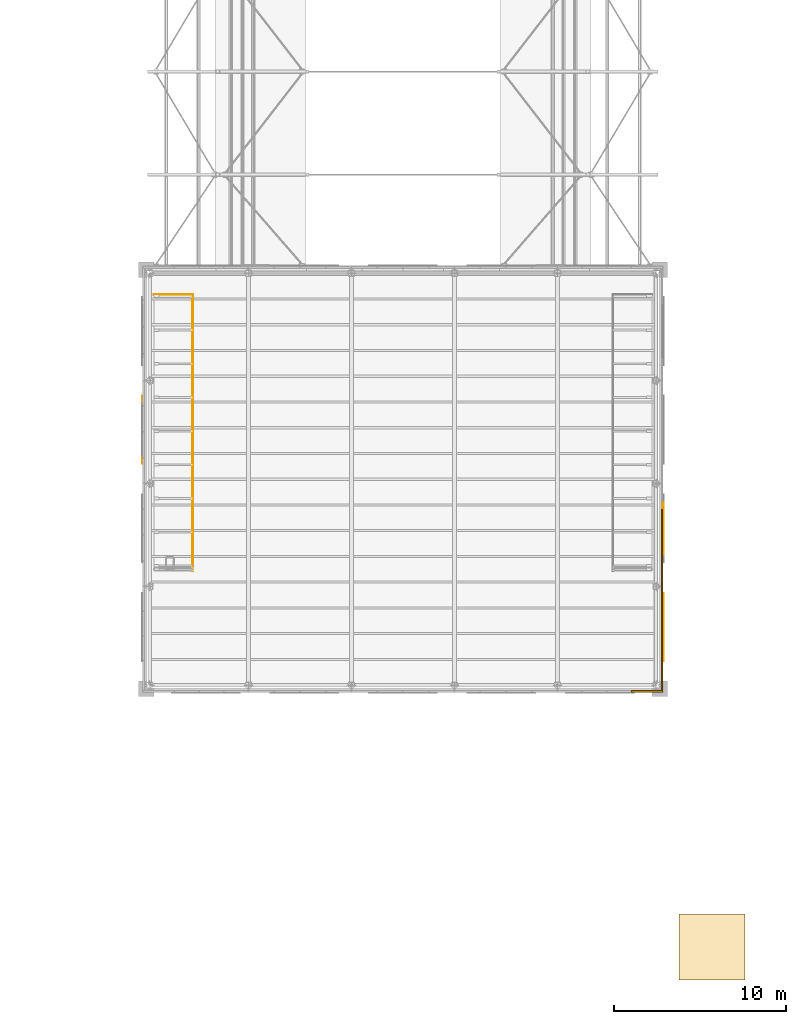
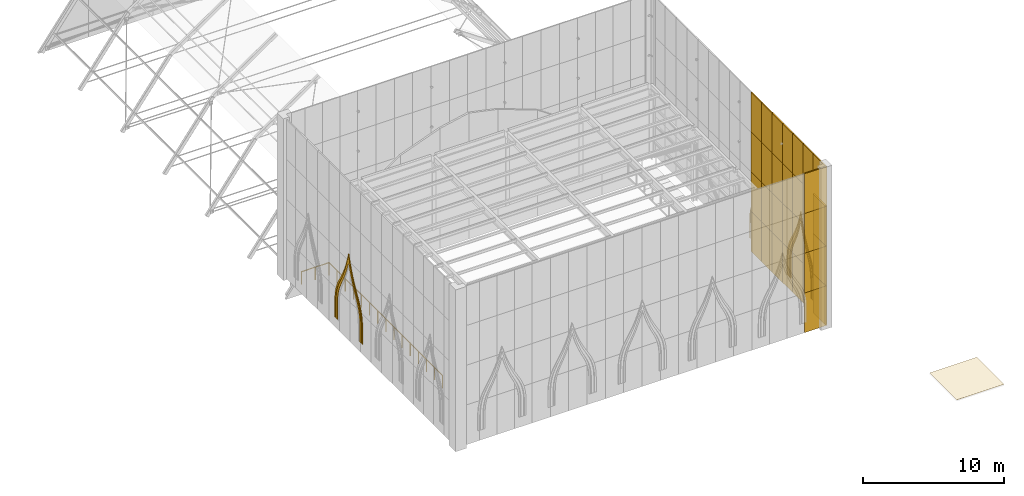
# One storey, part 39 of 43: 39 coverings, 1 railing.
"""IFC4 building model written with IfcOpenShell, lengths in metres."""

from ifc_helpers import new_model, si_unit, direction, frame, origin, origin_2d, place, context, subcontext, project, spatial, polyline, rectangle, circle, outline, extrude, material, layer, layer_set, type_object, element, save


model = new_model("IFC4")

# Units and contexts
model_context = context("Model", 3, precision=1e-05, world=origin(), true_north=direction((0.0, 1.0)))
body_context = subcontext(model_context, "Body", "Model", "MODEL_VIEW")
ifc_project = project(units=[si_unit("LENGTHUNIT", "METRE"), si_unit("AREAUNIT", "SQUARE_METRE"), si_unit("VOLUMEUNIT", "CUBIC_METRE"), si_unit("PLANEANGLEUNIT", "RADIAN"), si_unit("MASSUNIT", "GRAM", prefix="KILO")], contexts=[model_context])

# Site, building, storey
site_placement = place(None, origin())
site = spatial("IfcSite", under=ifc_project, at=site_placement, CompositionType="ELEMENT")
building_placement = place(site_placement, origin())
building = spatial("IfcBuilding", under=site, at=building_placement, Name="Saffron Lane Theatres", CompositionType="ELEMENT")
storey_placement = place(building_placement, frame((0.0, 0.0, 23.0)))
storey = spatial("IfcBuildingStorey", under=building, at=storey_placement, Name="Roof", CompositionType="ELEMENT", Elevation=23.0)

# Coverings
ifc_material_1 = material(Name="Masonry sandstone", Category="masonry")
ifc_layer_1 = layer(ifc_material_1, 0.050048828125)
ifc_layer_set_1 = layer_set([ifc_layer_1], Name="Masonry sandstone")
covering_type_1 = type_object("IfcCoveringType", Name="EX-ARCH FRAME RING SANDSTONE 50", PredefinedType="CLADDING", material=ifc_layer_set_1)
covering_1_placement = place(storey_placement, frame((48.14990234375, 32.110107421875, 2.200927734375), z_axis=(-1.0, 0.0, 0.0), x_axis=(0.0, 0.022997111267, 0.999735531465)))
element("IfcCovering", 1, at=covering_1_placement, inside=storey, type_object=covering_type_1, Name="Tower arch recess ring", PredefinedType="CLADDING", context=body_context, shape_type="SweptSolid", body=[
    extrude(outline(polyline([(0.0, 0.0), (0.38218115301468625, -1.734723475976807e-18), (0.7186530208482582, 0.019366850314774177), (1.0186343483940257, 0.05544643826297682), (1.2869898132143656, 0.1073942450897903), (1.5324780807332044, 0.17378776745953742), (1.7623540583257231, 0.2515296568088426), (1.9834518756015451, 0.3404627063224047), (2.202776749349248, 0.4372511059084794), (2.429104188580111, 0.5412045804038491), (2.6697452459604945, 0.6516665418200038), (2.931472291279726, 0.7657949467092903), (3.2242587557200446, 0.8818951430329552), (3.5539512356028933, 0.9993442299771961), (3.92979654846717, 1.1167084751480998), (4.357635676105198, 1.233120901674377), (5.015327699382706, 1.3838072212008825), (5.016068817226268, 1.4160252607891064), (4.366001324490871, 1.5967942273293279), (3.9439676199607527, 1.7327564442441374), (3.5739165011461504, 1.8672786903993477), (3.2499732990800325, 1.999763486321328), (2.9628350509323225, 2.1292038038291268), (2.7066327022651064, 2.2552462395065995), (2.4713254475467292, 2.376656532702662), (2.25001739734727, 2.490907053600263), (2.035375040883897, 2.5976780859579662), (1.8186004110288587, 2.696683600709043), (1.5925423132365129, 2.784913430450588), (1.350366617897236, 2.862524781997902), (1.084683668937017, 2.9267571785346833), (0.7866786556407508, 2.9765923628217448), (0.45145321327135296, 3.0114103972689836), (0.06967630635315561, 3.0289838734080146), (-1.1309338204231558, 3.0566017421389713), (-1.1336905542200453, 2.936760397913078), (0.0649669640963737, 2.9091874454150646), (0.44161265927823573, 2.8914877983300227), (0.771008348913546, 2.8580248928690466), (1.0600050061992816, 2.8093737503892937), (1.318654665725334, 2.7472567836568236), (1.5528207674004981, 2.671783320030293), (1.7720952663452818, 2.5859073816214284), (1.9838116733425173, 2.4899486846716656), (2.1955419607034057, 2.383977254835837), (2.4158793212020364, 2.269993268112194), (2.6521628801503603, 2.14856051679966), (2.9122479876208893, 2.0214519444263543), (3.202264617696377, 1.8897475680517621), (3.5303121965068223, 1.7552147166748848), (3.9042236160082666, 1.618650029593896), (4.332336763859077, 1.4815711452211926), (4.59173814645036, 1.4096686780727894), (4.32930491813541, 1.3497700741784586), (3.8953414309437466, 1.232521706650183), (3.515545984926742, 1.1132946854852734), (3.181659295833679, 0.9939884370761447), (2.88589338794146, 0.8757589305845156), (2.6202386675859732, 0.7607440539311694), (2.3786213059756434, 0.6503045506314862), (2.1532757855038445, 0.5465726940771315), (1.9368966680333337, 0.45044914831410154), (1.7209918223141438, 0.36432710637890214), (1.4980005050933094, 0.28862469473167457), (1.2606341218209416, 0.22497480559087527), (0.999379320784183, 0.17384048164958885), (0.7084512654818893, 0.13852946035397), (0.37786529567358396, 0.12024824162779892), (0.0008041253369972031, 0.11988626045883645), (-1.197853392979422, 0.1474592129568499), (-1.2006101267763114, 0.027617868730956684), (0.0, 0.0)])), origin(), (0.0, 0.0, -1.0), 0.050048828125),
])
covering_2_placement = place(storey_placement, frame((48.14990234375, 31.85009765625, 2.200927734375), z_axis=(-1.0, 0.0, 0.0), x_axis=(0.0, 0.027312211802, 0.999626951961)))
element("IfcCovering", 2, at=covering_2_placement, inside=storey, type_object=covering_type_1, Name="Tower arch recess ring", PredefinedType="CLADDING", context=body_context, shape_type="SweptSolid", body=[
    extrude(outline(polyline([(0.0, 0.0), (0.40224966782484456, 0.0), (0.7569683522101139, 0.021325663033647923), (1.0741287445550716, 0.06248335251801053), (1.35881587726215, 0.12186874273052645), (1.6190700494014425, 0.1987736898983943), (1.8625941582077907, 0.2890800245858124), (2.095442766258442, 0.39091269943956275), (2.326605698736925, 0.5025607004097316), (2.5641165866928755, 0.6230718341746991), (2.816654525556407, 0.7483012592168254), (3.0903407581093636, 0.8788144236710781), (3.396084165823525, 1.0116267215797745), (3.739728601829618, 1.1460900213542489), (4.131457466973427, 1.2794837706470155), (4.5793177283455035, 1.4113438752340919), (5.367965845758813, 1.6088719789106471), (5.369059401114175, 1.6488961049168909), (4.592373712405251, 1.8891928918208298), (4.152381715175411, 2.0453112548396524), (3.7685211141738404, 2.1998959731527847), (3.432731606269066, 2.352923041886572), (3.1346964302061133, 2.5022320224121297), (2.8685450607724188, 2.6474948481228484), (2.6232219200460913, 2.7863270349024023), (2.3926457733680455, 2.919627431908736), (2.1679241486534617, 3.043731295097295), (1.9409834067299485, 3.1581265204967868), (1.702753706168462, 3.2615955275713047), (1.4470871321053216, 3.352596669990605), (1.166067410650981, 3.4274385316282965), (0.851627570653509, 3.4858530580619056), (0.4986025634649585, 3.5265159804281714), (0.09695301748147107, 3.5484804398218417), (-1.1035267131570188, 3.5812804324622376), (-1.1089878219133684, 3.3814038519798384), (0.0895395123345729, 3.3486572035031186), (0.48120969889833753, 3.327942331143563), (0.8223029502766167, 3.2885823399750875), (1.1216650624110143, 3.2325336272005174), (1.3878844456533965, 3.1612711589454983), (1.6297735558430695, 3.075531084668762), (1.8552019907263628, 2.9772964736549703), (2.0742024538866755, 2.867270135260558), (2.2948285804350204, 2.745232024810359), (2.5244552009996295, 2.612934498081138), (2.770727867839393, 2.473099441024472), (3.0417068840857833, 2.3257508585140143), (3.3457366105418473, 2.172370384695872), (3.6895197413734984, 2.0169268253475527), (4.08132728915873, 1.8582172695781594), (4.529048855705248, 1.6989569353188092), (4.696888265087821, 1.6472344342183776), (4.526474999807872, 1.6047538094748455), (4.070725136628087, 1.4701784869566512), (3.670862620127752, 1.3340761877532261), (3.3190778647446724, 1.1966602885192745), (3.0071265299826946, 1.0601098983409696), (2.7285326343715286, 0.9287538961006331), (2.4749651531490464, 0.8015987467497964), (2.2384571354702087, 0.6820371390982651), (2.011523061567155, 0.573204376366107), (1.7868147728934902, 0.47432430097183365), (1.5563586505837161, 0.38854555217643194), (1.310148663136272, 0.3161415188187424), (1.0404352371730994, 0.2595220234928368), (0.7384592610185687, 0.21990331313053224), (0.3957256766072468, 0.1992271152896419), (0.0035087123658012432, 0.19992992464607567), (-1.1950186218821401, 0.23267657312279538), (-1.2004797306384898, 0.03279999264039589), (0.0, 0.0)])), origin(), (0.0, 0.0, -1.0), 0.050048828125),
])
covering_3_placement = place(storey_placement, frame((48.14990234375, 31.64990234375, 2.200927734375), z_axis=(-1.0, 0.0, 0.0), x_axis=(0.0, 0.029193159722, 0.999573788885)))
element("IfcCovering", 3, at=covering_3_placement, inside=storey, type_object=covering_type_1, Name="Tower arch recess ring", PredefinedType="CLADDING", context=body_context, shape_type="SweptSolid", body=[
    extrude(outline(polyline([(0.0, 0.0), (0.41814696888594205, 1.734723475976807e-18), (0.789125603111909, 0.02409233927534542), (1.117551215790607, 0.07140949062843514), (1.4138389798139064, 0.13896058063500577), (1.684291082572596, 0.22509608173497841), (1.9373917861109122, 0.3276142481028278), (2.179867205832405, 0.44265496857998693), (2.421715713852443, 0.5696819899102323), (2.6709334990761593, 0.7065078207405595), (2.935237077657832, 0.849731914106464), (3.2226582746838943, 0.9983869615027009), (3.5441217178941016, 1.1501999447411422), (3.9056855581096905, 1.3035284634979691), (4.3175565678342815, 1.4566089544329384), (4.787967845306298, 1.607002762387233), (5.517225804189668, 1.8057688377505887), (5.517753219672928, 1.8238275438974325), (4.8013385405305815, 2.0648153668666795), (4.340506268592379, 2.242406708390198), (3.938271282291685, 2.4192636594894568), (3.58627219313739, 2.5934322170713386), (3.274245210735792, 2.7647236519196716), (2.995961130595407, 2.9289234866890266), (2.740466816031439, 3.087328593289325), (2.499659169594852, 3.238465914530292), (2.2656363669885993, 3.379391046568081), (2.0303166924724265, 3.5093630419210733), (1.7836019926233202, 3.625501641871766), (1.518637861785045, 3.72727429932679), (1.2267974931881596, 3.8120020287206327), (0.9016931726067514, 3.878405918778749), (0.5327529279512241, 3.9241080383952593), (0.11531868269130997, 3.9485116953504535), (-1.0850972029347026, 3.9835705705147646), (-1.0891882365481025, 3.8434935795919487), (0.10927535652149442, 3.80849172231772), (0.5208598513484222, 3.7845031556023243), (0.8786029227496011, 3.7401050351319944), (1.1939956712027533, 3.6756944905111526), (1.4737268653934252, 3.5944955983344995), (1.7278305136182879, 3.4971922881935713), (1.9656013872290956, 3.3842458348191324), (2.1961258571893527, 3.2573448230259685), (2.426057056003304, 3.1184931465610197), (2.665924192342985, 2.968604517112854), (2.923363672227109, 2.8098983560529214), (3.2054668106452016, 2.6426560466687783), (3.5215853968391, 2.4692911562476056), (3.8796212551058513, 2.292748088633249), (4.28765610118571, 2.113767791307328), (4.753527614249379, 1.9330983389877205), (5.066509931399305, 1.8279693234330057), (4.7479256065488, 1.7412855953198925), (4.272332543226111, 1.5890891667706482), (3.8545191289971497, 1.4332512906713022), (3.4867902294164193, 1.277904623695015), (3.161092637688706, 1.123284364638375), (2.8697098376597303, 0.9727910604658873), (2.603446839285382, 0.8293799484205129), (2.3552408365211748, 0.6937457914929044), (2.1175979680736017, 0.5685498997026498), (1.8800602976332301, 0.4553189270567006), (1.6361029829485005, 0.356441638060052), (1.3767536888360727, 0.2741340330107499), (1.092760407361754, 0.20939905659534055), (0.774146148118956, 0.1635050717787033), (0.41442170503741954, 0.14006102591359282), (0.0021387410569844428, 0.14013400881289806), (-1.1963248520126126, 0.17513586608712695), (-1.2004158856260125, 0.03505887516431111), (0.0, 0.0)])), origin(), (0.0, 0.0, -1.0), 0.050048828125),
])
covering_4_placement = place(storey_placement, frame((48.14990234375, 37.860107421875, 2.200927734375), z_axis=(-1.0, 0.0, 0.0), x_axis=(0.0, 0.022997111267, 0.999735531465)))
element("IfcCovering", 4, at=covering_4_placement, inside=storey, type_object=covering_type_1, Name="Tower arch recess ring", PredefinedType="CLADDING", context=body_context, shape_type="SweptSolid", body=[
    extrude(outline(polyline([(0.0, 0.0), (0.38218115301468625, -1.734723475976807e-18), (0.7186530208482582, 0.019366850314774177), (1.0186343483940257, 0.05544643826297682), (1.2869898132143656, 0.1073942450897903), (1.5324780807332044, 0.17378776745953742), (1.7623540583257231, 0.2515296568088426), (1.9834518756015451, 0.3404627063224047), (2.202776749349248, 0.4372511059084794), (2.429104188580111, 0.5412045804038491), (2.6697452459604945, 0.6516665418200038), (2.931472291279726, 0.7657949467092903), (3.2242587557200446, 0.8818951430329552), (3.5539512356028933, 0.9993442299771961), (3.92979654846717, 1.1167084751480998), (4.357635676105198, 1.233120901674377), (5.015327699382706, 1.3838072212008825), (5.016068817226268, 1.4160252607891064), (4.366001324490871, 1.5967942273293279), (3.9439676199607527, 1.7327564442441374), (3.5739165011461504, 1.8672786903993477), (3.2499732990800325, 1.999763486321328), (2.9628350509323225, 2.1292038038291268), (2.7066327022651064, 2.2552462395065995), (2.4713254475467292, 2.376656532702662), (2.25001739734727, 2.490907053600263), (2.035375040883897, 2.5976780859579662), (1.8186004110288587, 2.696683600709043), (1.5925423132365129, 2.784913430450588), (1.350366617897236, 2.862524781997902), (1.084683668937017, 2.9267571785346833), (0.7866786556407508, 2.9765923628217448), (0.45145321327135296, 3.0114103972689836), (0.06967630635315561, 3.0289838734080146), (-1.1309338204231558, 3.0566017421389713), (-1.1336905542200453, 2.936760397913078), (0.0649669640963737, 2.9091874454150646), (0.44161265927823573, 2.8914877983300227), (0.771008348913546, 2.8580248928690466), (1.0600050061992816, 2.8093737503892937), (1.318654665725334, 2.7472567836568236), (1.5528207674004981, 2.671783320030293), (1.7720952663452818, 2.5859073816214284), (1.9838116733425173, 2.4899486846716656), (2.1955419607034057, 2.383977254835837), (2.4158793212020364, 2.269993268112194), (2.6521628801503603, 2.14856051679966), (2.9122479876208893, 2.0214519444263543), (3.202264617696377, 1.8897475680517621), (3.5303121965068223, 1.7552147166748848), (3.9042236160082666, 1.618650029593896), (4.332336763859077, 1.4815711452211926), (4.59173814645036, 1.4096686780727894), (4.32930491813541, 1.3497700741784586), (3.8953414309437466, 1.232521706650183), (3.515545984926742, 1.1132946854852734), (3.181659295833679, 0.9939884370761447), (2.88589338794146, 0.8757589305845156), (2.6202386675859732, 0.7607440539311694), (2.3786213059756434, 0.6503045506314862), (2.1532757855038445, 0.5465726940771315), (1.9368966680333337, 0.45044914831410154), (1.7209918223141438, 0.36432710637890214), (1.4980005050933094, 0.28862469473167457), (1.2606341218209416, 0.22497480559087527), (0.999379320784183, 0.17384048164958885), (0.7084512654818893, 0.13852946035397), (0.37786529567358396, 0.12024824162779892), (0.0008041253369972031, 0.11988626045883645), (-1.197853392979422, 0.1474592129568499), (-1.2006101267763114, 0.027617868730956684), (0.0, 0.0)])), origin(), (0.0, 0.0, -1.0), 0.050048828125),
])
covering_5_placement = place(storey_placement, frame((17.85009765625, 46.89990234375, 2.200927734375), z_axis=(1.0, 0.0, 0.0), x_axis=(0.0, -0.027312211802, 0.999626951961)))
element("IfcCovering", 5, at=covering_5_placement, inside=storey, type_object=covering_type_1, Name="Tower arch recess ring", PredefinedType="CLADDING", context=body_context, shape_type="SweptSolid", body=[
    extrude(outline(polyline([(0.0, 0.0), (0.40224966782484456, 0.0), (0.7569683522101139, 0.021325663033647923), (1.0741287445550716, 0.06248335251801053), (1.35881587726215, 0.12186874273052645), (1.6190700494014425, 0.1987736898983943), (1.8625941582077907, 0.2890800245858124), (2.095442766258442, 0.39091269943956275), (2.326605698736925, 0.5025607004097316), (2.5641165866928755, 0.6230718341746991), (2.816654525556407, 0.7483012592168254), (3.0903407581093636, 0.8788144236710781), (3.396084165823525, 1.0116267215797745), (3.739728601829618, 1.1460900213542489), (4.131457466973427, 1.2794837706470155), (4.5793177283455035, 1.4113438752340919), (5.367965845758813, 1.6088719789106471), (5.369059401114175, 1.6488961049168909), (4.592373712405251, 1.8891928918208298), (4.152381715175411, 2.0453112548396524), (3.7685211141738404, 2.1998959731527847), (3.432731606269066, 2.352923041886572), (3.1346964302061133, 2.5022320224121297), (2.8685450607724188, 2.6474948481228484), (2.6232219200460913, 2.7863270349024023), (2.3926457733680455, 2.919627431908736), (2.1679241486534617, 3.043731295097295), (1.9409834067299485, 3.1581265204967868), (1.702753706168462, 3.2615955275713047), (1.4470871321053216, 3.352596669990605), (1.166067410650981, 3.4274385316282965), (0.851627570653509, 3.4858530580619056), (0.4986025634649585, 3.5265159804281714), (0.09695301748147107, 3.5484804398218417), (-1.1035267131570188, 3.5812804324622376), (-1.1089878219133684, 3.3814038519798384), (0.0895395123345729, 3.3486572035031186), (0.48120969889833753, 3.327942331143563), (0.8223029502766167, 3.2885823399750875), (1.1216650624110143, 3.2325336272005174), (1.3878844456533965, 3.1612711589454983), (1.6297735558430695, 3.075531084668762), (1.8552019907263628, 2.9772964736549703), (2.0742024538866755, 2.867270135260558), (2.2948285804350204, 2.745232024810359), (2.5244552009996295, 2.612934498081138), (2.770727867839393, 2.473099441024472), (3.0417068840857833, 2.3257508585140143), (3.3457366105418473, 2.172370384695872), (3.6895197413734984, 2.0169268253475527), (4.08132728915873, 1.8582172695781594), (4.529048855705248, 1.6989569353188092), (4.696888265087821, 1.6472344342183776), (4.526474999807872, 1.6047538094748455), (4.070725136628087, 1.4701784869566512), (3.670862620127752, 1.3340761877532261), (3.3190778647446724, 1.1966602885192745), (3.0071265299826946, 1.0601098983409696), (2.7285326343715286, 0.9287538961006331), (2.4749651531490464, 0.8015987467497964), (2.2384571354702087, 0.6820371390982651), (2.011523061567155, 0.573204376366107), (1.7868147728934902, 0.47432430097183365), (1.5563586505837161, 0.38854555217643194), (1.310148663136272, 0.3161415188187424), (1.0404352371730994, 0.2595220234928368), (0.7384592610185687, 0.21990331313053224), (0.3957256766072468, 0.1992271152896419), (0.0035087123658012432, 0.19992992464607567), (-1.1950186218821401, 0.23267657312279538), (-1.2004797306384898, 0.03279999264039589), (0.0, 0.0)])), origin(), (0.0, 0.0, -1.0), 0.050048828125),
])
covering_6_placement = place(storey_placement, frame((17.85009765625, 47.10009765625, 2.200927734375), z_axis=(1.0, 0.0, 0.0), x_axis=(0.0, -0.029193159722, 0.999573788885)))
element("IfcCovering", 6, at=covering_6_placement, inside=storey, type_object=covering_type_1, Name="Tower arch recess ring", PredefinedType="CLADDING", context=body_context, shape_type="SweptSolid", body=[
    extrude(outline(polyline([(0.0, 0.0), (0.41814696888594205, 1.734723475976807e-18), (0.789125603111909, 0.02409233927534542), (1.117551215790607, 0.07140949062843514), (1.4138389798139064, 0.13896058063500577), (1.684291082572596, 0.22509608173497841), (1.9373917861109122, 0.3276142481028278), (2.179867205832405, 0.44265496857998693), (2.421715713852443, 0.5696819899102323), (2.6709334990761593, 0.7065078207405595), (2.935237077657832, 0.849731914106464), (3.2226582746838943, 0.9983869615027009), (3.5441217178941016, 1.1501999447411422), (3.9056855581096905, 1.3035284634979691), (4.3175565678342815, 1.4566089544329384), (4.787967845306298, 1.607002762387233), (5.517225804189668, 1.8057688377505887), (5.517753219672928, 1.8238275438974325), (4.8013385405305815, 2.0648153668666795), (4.340506268592379, 2.242406708390198), (3.938271282291685, 2.4192636594894568), (3.58627219313739, 2.5934322170713386), (3.274245210735792, 2.7647236519196716), (2.995961130595407, 2.9289234866890266), (2.740466816031439, 3.087328593289325), (2.499659169594852, 3.238465914530292), (2.2656363669885993, 3.379391046568081), (2.0303166924724265, 3.5093630419210733), (1.7836019926233202, 3.625501641871766), (1.518637861785045, 3.72727429932679), (1.2267974931881596, 3.8120020287206327), (0.9016931726067514, 3.878405918778749), (0.5327529279512241, 3.9241080383952593), (0.11531868269130997, 3.9485116953504535), (-1.0850972029347026, 3.9835705705147646), (-1.0891882365481025, 3.8434935795919487), (0.10927535652149442, 3.80849172231772), (0.5208598513484222, 3.7845031556023243), (0.8786029227496011, 3.7401050351319944), (1.1939956712027533, 3.6756944905111526), (1.4737268653934252, 3.5944955983344995), (1.7278305136182879, 3.4971922881935713), (1.9656013872290956, 3.3842458348191324), (2.1961258571893527, 3.2573448230259685), (2.426057056003304, 3.1184931465610197), (2.665924192342985, 2.968604517112854), (2.923363672227109, 2.8098983560529214), (3.2054668106452016, 2.6426560466687783), (3.5215853968391, 2.4692911562476056), (3.8796212551058513, 2.292748088633249), (4.28765610118571, 2.113767791307328), (4.753527614249379, 1.9330983389877205), (5.066509931399305, 1.8279693234330057), (4.7479256065488, 1.7412855953198925), (4.272332543226111, 1.5890891667706482), (3.8545191289971497, 1.4332512906713022), (3.4867902294164193, 1.277904623695015), (3.161092637688706, 1.123284364638375), (2.8697098376597303, 0.9727910604658873), (2.603446839285382, 0.8293799484205129), (2.3552408365211748, 0.6937457914929044), (2.1175979680736017, 0.5685498997026498), (1.8800602976332301, 0.4553189270567006), (1.6361029829485005, 0.356441638060052), (1.3767536888360727, 0.2741340330107499), (1.092760407361754, 0.20939905659534055), (0.774146148118956, 0.1635050717787033), (0.41442170503741954, 0.14006102591359282), (0.0021387410569844428, 0.14013400881289806), (-1.1963248520126126, 0.17513586608712695), (-1.2004158856260125, 0.03505887516431111), (0.0, 0.0)])), origin(), (0.0, 0.0, -1.0), 0.050048828125),
])
ifc_material_2 = material(Name="Masonry perforated pale clay brick", Category="masonry")
ifc_layer_2 = layer(ifc_material_2, 0.10009765625)
ifc_layer_set_2 = layer_set([ifc_layer_2], Name="Masonry perforated pale clay brick")
covering_type_2 = type_object("IfcCoveringType", Name="EX-CLADDING PANEL PERFORATED BRICK 100", PredefinedType="CLADDING", material=ifc_layer_set_2)
for number, where, z_axis, x_axis, name in (
    (7, (47.231201171875, 29.89990234375, 0.10009765625), (0.0, 0.0, 1.0), (1.0, 0.0, 0.0), "Tower panel S77"),
    (8, (47.231201171875, 29.89990234375, 3.53759765625), (0.0, 0.0, 1.0), (1.0, 0.0, 0.0), "Tower panel S78"),
    (9, (47.231201171875, 29.89990234375, 6.97509765625), (0.0, 0.0, 1.0), (1.0, 0.0, 0.0), "Tower panel S79"),
    (10, (47.231201171875, 29.89990234375, 10.41259765625), (0.0, 0.0, 1.0), (1.0, 0.0, 0.0), "Tower panel S80"),
):
    element("IfcCovering", number, at=place(storey_placement, frame(where, z_axis=z_axis, x_axis=x_axis)), inside=storey, type_object=covering_type_2, Name=name, PredefinedType="CLADDING", context=body_context, shape_type="SweptSolid", body=[
        extrude(rectangle(XDim=1.83740234375, YDim=0.10009765625, at=origin_2d()), origin(), (0.0, 0.0, 1.0), 3.4375),
    ])
for number, where, z_axis, x_axis, name in (
    (11, (48.10009765625, 30.81884765625, 0.10009765625), (0.0, 0.0, 1.0), (0.0, 1.0, 0.0), "Tower panel E225"),
    (12, (48.10009765625, 30.81884765625, 3.53759765625), (0.0, 0.0, 1.0), (0.0, 1.0, 0.0), "Tower panel E226"),
    (13, (48.10009765625, 30.81884765625, 6.97509765625), (0.0, 0.0, 1.0), (0.0, 1.0, 0.0), "Tower panel E227"),
    (14, (48.10009765625, 30.81884765625, 10.41259765625), (0.0, 0.0, 1.0), (0.0, 1.0, 0.0), "Tower panel E228"),
):
    element("IfcCovering", number, at=place(storey_placement, frame(where, z_axis=z_axis, x_axis=x_axis)), inside=storey, type_object=covering_type_2, Name=name, PredefinedType="CLADDING", context=body_context, shape_type="SweptSolid", body=[
        extrude(rectangle(XDim=1.737548828125, YDim=0.10009765625, at=origin_2d()), origin(), (0.0, 0.0, 1.0), 3.4375),
    ])
for number, where, z_axis, x_axis, name in (
    (15, (48.10009765625, 32.40625, 0.10009765625), (0.0, 0.0, 1.0), (0.0, 1.0, 0.0), "Tower panel E229"),
    (16, (48.10009765625, 32.40625, 3.53759765625), (0.0, 0.0, 1.0), (0.0, 1.0, 0.0), "Tower panel E230"),
    (17, (48.10009765625, 32.40625, 6.97509765625), (0.0, 0.0, 1.0), (0.0, 1.0, 0.0), "Tower panel E231"),
    (18, (48.10009765625, 32.40625, 10.41259765625), (0.0, 0.0, 1.0), (0.0, 1.0, 0.0), "Tower panel E232"),
    (19, (48.10009765625, 33.84375, 0.10009765625), (0.0, 0.0, 1.0), (0.0, 1.0, 0.0), "Tower panel E233"),
    (20, (48.10009765625, 33.84375, 3.53759765625), (0.0, 0.0, 1.0), (0.0, 1.0, 0.0), "Tower panel E234"),
    (21, (48.10009765625, 33.84375, 6.97509765625), (0.0, 0.0, 1.0), (0.0, 1.0, 0.0), "Tower panel E235"),
    (22, (48.10009765625, 33.84375, 10.41259765625), (0.0, 0.0, 1.0), (0.0, 1.0, 0.0), "Tower panel E236"),
    (23, (48.10009765625, 35.28125, 0.10009765625), (0.0, 0.0, 1.0), (0.0, 1.0, 0.0), "Tower panel E237"),
    (24, (48.10009765625, 35.28125, 3.53759765625), (0.0, 0.0, 1.0), (0.0, 1.0, 0.0), "Tower panel E238"),
    (25, (48.10009765625, 35.28125, 6.97509765625), (0.0, 0.0, 1.0), (0.0, 1.0, 0.0), "Tower panel E239"),
    (26, (48.10009765625, 35.28125, 10.41259765625), (0.0, 0.0, 1.0), (0.0, 1.0, 0.0), "Tower panel E240"),
):
    element("IfcCovering", number, at=place(storey_placement, frame(where, z_axis=z_axis, x_axis=x_axis)), inside=storey, type_object=covering_type_2, Name=name, PredefinedType="CLADDING", context=body_context, shape_type="SweptSolid", body=[
        extrude(rectangle(XDim=1.4375, YDim=0.10009765625, at=origin_2d()), origin(), (0.0, 0.0, 1.0), 3.4375),
    ])
for number, where, z_axis, x_axis, name in (
    (27, (48.10009765625, 36.75, 0.10009765625), (0.0, 0.0, 1.0), (0.0, 1.0, 0.0), "Tower panel E241"),
    (28, (48.10009765625, 36.75, 3.53759765625), (0.0, 0.0, 1.0), (0.0, 1.0, 0.0), "Tower panel E242"),
    (29, (48.10009765625, 36.75, 6.97509765625), (0.0, 0.0, 1.0), (0.0, 1.0, 0.0), "Tower panel E243"),
    (30, (48.10009765625, 36.75, 10.41259765625), (0.0, 0.0, 1.0), (0.0, 1.0, 0.0), "Tower panel E244"),
    (31, (48.10009765625, 38.25, 0.10009765625), (0.0, 0.0, 1.0), (0.0, 1.0, 0.0), "Tower panel E245"),
    (32, (48.10009765625, 38.25, 3.53759765625), (0.0, 0.0, 1.0), (0.0, 1.0, 0.0), "Tower panel E246"),
    (33, (48.10009765625, 38.25, 6.97509765625), (0.0, 0.0, 1.0), (0.0, 1.0, 0.0), "Tower panel E247"),
    (34, (48.10009765625, 38.25, 10.41259765625), (0.0, 0.0, 1.0), (0.0, 1.0, 0.0), "Tower panel E248"),
    (35, (48.10009765625, 39.75, 0.10009765625), (0.0, 0.0, 1.0), (0.0, 1.0, 0.0), "Tower panel E249"),
    (36, (48.10009765625, 39.75, 3.53759765625), (0.0, 0.0, 1.0), (0.0, 1.0, 0.0), "Tower panel E250"),
    (37, (48.10009765625, 39.75, 6.97509765625), (0.0, 0.0, 1.0), (0.0, 1.0, 0.0), "Tower panel E251"),
    (38, (48.10009765625, 39.75, 10.41259765625), (0.0, 0.0, 1.0), (0.0, 1.0, 0.0), "Tower panel E252"),
):
    element("IfcCovering", number, at=place(storey_placement, frame(where, z_axis=z_axis, x_axis=x_axis)), inside=storey, type_object=covering_type_2, Name=name, PredefinedType="CLADDING", context=body_context, shape_type="SweptSolid", body=[
        extrude(rectangle(XDim=1.5, YDim=0.10009765625, at=origin_2d()), origin(), (0.0, 0.0, 1.0), 3.4375),
    ])
ifc_material_3 = material(Name="Zinc standing seam roofing", Category="metal")
ifc_layer_3 = layer(ifc_material_3, 0.02001953125)
ifc_layer_set_3 = layer_set([ifc_layer_3], Name="Zinc standing seam roofing")
covering_type_3 = type_object("IfcCoveringType", Name="ST-ZINC ROOFING", PredefinedType="ROOFING", material=ifc_layer_set_3)
covering_7_placement = place(storey_placement, frame((0.0, 0.0, 3.47998046875)))
element("IfcCovering", 39, at=covering_7_placement, inside=storey, type_object=covering_type_3, Name="SZ5", PredefinedType="ROOFING", context=body_context, shape_type="SweptSolid", body=[
    extrude(outline(polyline([(49.070068359375, 13.070068359375), (52.929931640625, 13.070068359375), (52.929931640625, 16.929931640625), (49.070068359375, 16.929931640625), (49.070068359375, 13.070068359375)])), origin(), (0.0, 0.0, 1.0), 0.02001953125),
])

# Railing
railing_placement = place(storey_placement, frame((20.760009765625, 36.89990234375, 0.0)))
element("IfcRailing", 40, at=railing_placement, inside=storey, Name="FRW23", PredefinedType="GUARDRAIL", context=body_context, shape_type="SweptSolid", body=[
    extrude(circle(Radius=0.02392578125, at=origin_2d()), frame((0.0, 0.0, 1.076171875), z_axis=(0.0, 1.0, 0.0), x_axis=(-1.0, 0.0, 0.0)), (0.0, 0.0, 1.0), 16.10009765625),
    extrude(circle(Radius=0.02392578125, at=origin_2d()), frame((0.0, 16.10009765625, 1.076171875), z_axis=(-1.0, 0.0, 0.0), x_axis=(0.0, -1.0, 0.0)), (0.0, 0.0, 1.0), 2.260009765625),
    extrude(circle(Radius=0.02099609375, at=origin_2d()), origin(), (0.0, 0.0, 1.0), 1.052001953125),
    extrude(circle(Radius=0.02099609375, at=origin_2d()), frame((0.0, 1.14990234375, 0.0)), (0.0, 0.0, 1.0), 1.052001953125),
    extrude(circle(Radius=0.02099609375, at=origin_2d()), frame((0.0, 2.300048828125, 0.0)), (0.0, 0.0, 1.0), 1.052001953125),
    extrude(circle(Radius=0.02099609375, at=origin_2d()), frame((0.0, 3.449951171875, 0.0)), (0.0, 0.0, 1.0), 1.052001953125),
    extrude(circle(Radius=0.02099609375, at=origin_2d()), frame((0.0, 4.60009765625, 0.0)), (0.0, 0.0, 1.0), 1.052001953125),
    extrude(circle(Radius=0.02099609375, at=origin_2d()), frame((0.0, 5.75, 0.0)), (0.0, 0.0, 1.0), 1.052001953125),
    extrude(circle(Radius=0.02099609375, at=origin_2d()), frame((0.0, 6.900146484375, 0.0)), (0.0, 0.0, 1.0), 1.052001953125),
    extrude(circle(Radius=0.02099609375, at=origin_2d()), frame((0.0, 8.050048828125, 0.0)), (0.0, 0.0, 1.0), 1.052001953125),
    extrude(circle(Radius=0.02099609375, at=origin_2d()), frame((0.0, 9.199951171875, 0.0)), (0.0, 0.0, 1.0), 1.052001953125),
    extrude(circle(Radius=0.02099609375, at=origin_2d()), frame((0.0, 10.35009765625, 0.0)), (0.0, 0.0, 1.0), 1.052001953125),
    extrude(circle(Radius=0.02099609375, at=origin_2d()), frame((0.0, 11.5, 0.0)), (0.0, 0.0, 1.0), 1.052001953125),
    extrude(circle(Radius=0.02099609375, at=origin_2d()), frame((0.0, 12.650146484375, 0.0)), (0.0, 0.0, 1.0), 1.052001953125),
    extrude(circle(Radius=0.02099609375, at=origin_2d()), frame((0.0, 13.800048828125, 0.0)), (0.0, 0.0, 1.0), 1.052001953125),
    extrude(circle(Radius=0.02099609375, at=origin_2d()), frame((0.0, 14.9501953125, 0.0)), (0.0, 0.0, 1.0), 1.052001953125),
    extrude(circle(Radius=0.02099609375, at=origin_2d()), frame((0.0, 16.10009765625, 0.0)), (0.0, 0.0, 1.0), 1.052001953125),
    extrude(circle(Radius=0.02099609375, at=origin_2d()), frame((-1.1298828125, 16.10009765625, 0.0)), (0.0, 0.0, 1.0), 1.052001953125),
    extrude(circle(Radius=0.02099609375, at=origin_2d()), frame((-2.260009765625, 16.10009765625, 0.0)), (0.0, 0.0, 1.0), 1.052001953125),
])

save(model, "model.ifc")
